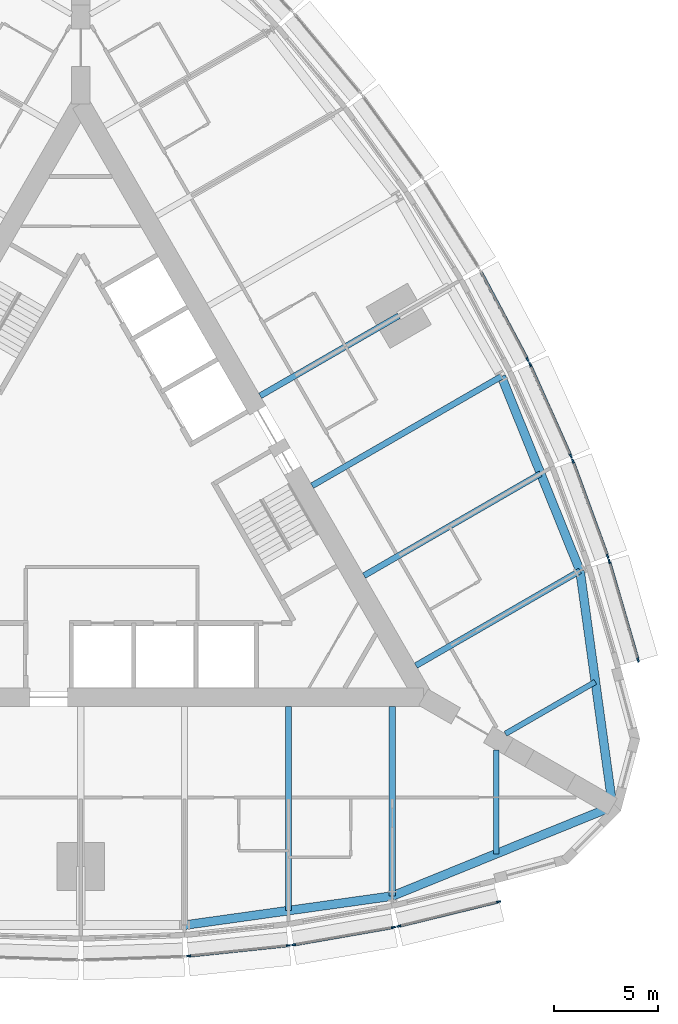
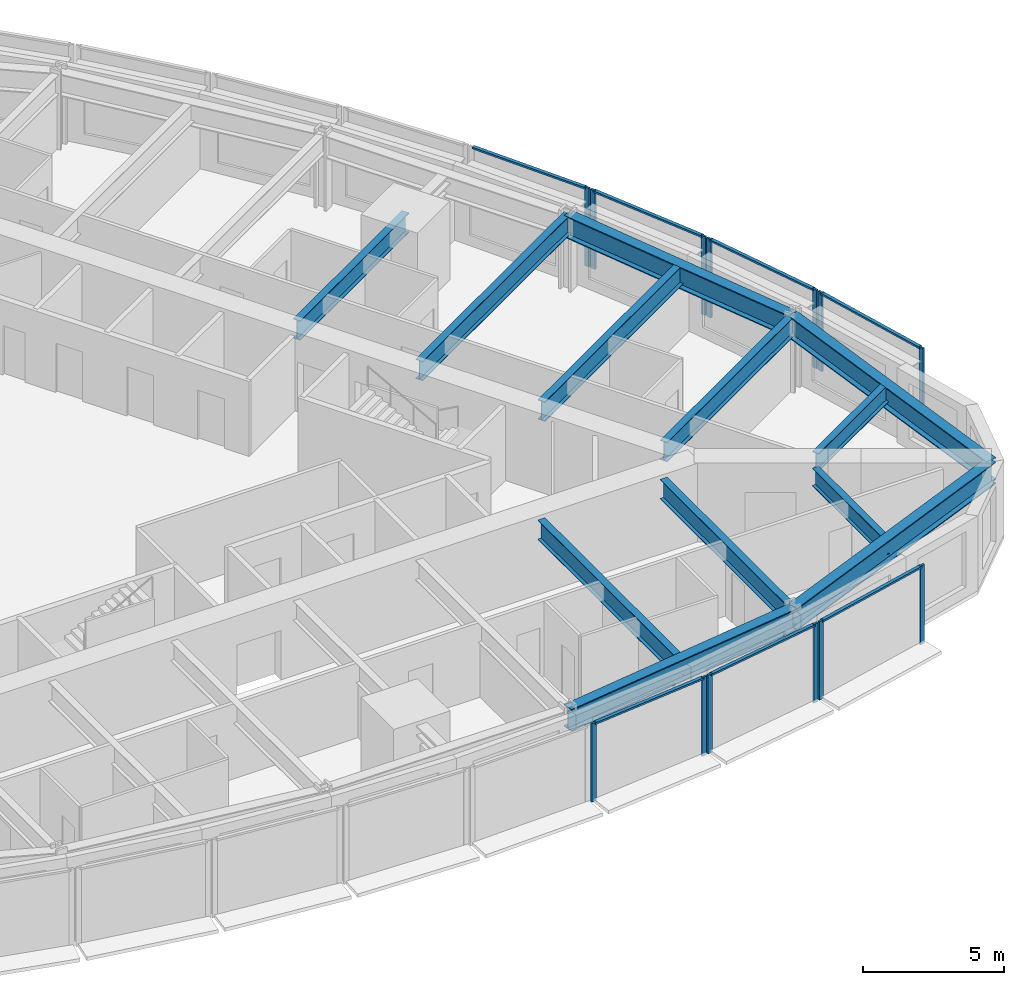
# One storey, part 3 of 14: 20 members, 12 beams, 7 elements without a shape of their own.
"""IFC4 building model written with IfcOpenShell, lengths in metres."""

from ifc_helpers import new_model, si_unit, direction, frame, origin, origin_2d, place, context, subcontext, project, spatial, rectangle, i_section, extrude, material, material_profile, profile_set, type_object, element, aggregate, save


model = new_model("IFC4")

# Units and contexts
model_context = context("Model", 3, precision=1e-05, world=origin(), true_north=direction((0.0, 1.0)))
body_context = subcontext(model_context, "Body", "Model", "MODEL_VIEW")
ifc_project = project(units=[si_unit("LENGTHUNIT", "METRE"), si_unit("AREAUNIT", "SQUARE_METRE"), si_unit("VOLUMEUNIT", "CUBIC_METRE"), si_unit("PLANEANGLEUNIT", "RADIAN"), si_unit("MASSUNIT", "GRAM", prefix="KILO")], contexts=[model_context])

# Site, building, storey
site_placement = place(None, origin())
site = spatial("IfcSite", under=ifc_project, at=site_placement, CompositionType="ELEMENT")
building_placement = place(site_placement, origin())
building = spatial("IfcBuilding", under=site, at=building_placement, Name="Trikona Tower", CompositionType="ELEMENT")
storey_placement = place(building_placement, frame((0.0, 0.0, 158.89990234375)))
storey = spatial("IfcBuildingStorey", under=building, at=storey_placement, Name="L42", CompositionType="ELEMENT", Elevation=158.89990234375)

# Curtain wall, members
ifc_material_1 = material(Name="Aluminium curtain wall system", Category="aluminium")
curtain_wall_type = type_object("IfcCurtainWallType", Name="Curtain wall DS2", PredefinedType="NOTDEFINED", material=ifc_material_1)
curtain_wall_1_placement = place(storey_placement, origin())
curtain_wall_1 = element("IfcCurtainWall", 1, at=curtain_wall_1_placement, inside=storey, type_object=curtain_wall_type, Name="Curtain wall DS2 L42", PredefinedType="NOTDEFINED")
ifc_material_2 = material(Name="Aluminium mullion, pale anodised", Category="aluminium")
ifc_material_profile_1 = material_profile(ifc_material_2, rectangle(XDim=0.080078125, YDim=0.199951171875, at=origin_2d()), Name="MUL-DS2")
ifc_profile_set_1 = profile_set([ifc_material_profile_1], Name="Aluminium mullion, pale anodised")
member_type_1 = type_object("IfcMemberType", Name="Mullion DS2 80x200", PredefinedType="MULLION", material=ifc_profile_set_1)
member_1_placement = place(storey_placement, frame((5.193359375, -21.98486328125, 0.0), z_axis=(0.0, 0.0, 1.0), x_axis=(-0.104433387357, 0.994531883654, 0.0)))
member_1 = element("IfcMember", 2, at=member_1_placement, type_object=member_type_1, Name="CW-DS2 mullion 1", PredefinedType="MULLION", context=body_context, shape_type="SweptSolid", body=[
    extrude(rectangle(XDim=0.080078125, YDim=0.199951171875, at=origin_2d()), origin(), (0.0, 0.0, 1.0), 3.400146484375),
])
member_2_placement = place(storey_placement, frame((9.99462890625, -21.480712890625, 0.0), z_axis=(0.0, 0.0, 1.0), x_axis=(-0.104433387357, 0.994531883654, 0.0)))
member_2 = element("IfcMember", 3, at=member_2_placement, type_object=member_type_1, Name="CW-DS2 mullion 2", PredefinedType="MULLION", context=body_context, shape_type="SweptSolid", body=[
    extrude(rectangle(XDim=0.080078125, YDim=0.199951171875, at=origin_2d()), origin(), (0.0, 0.0, 1.0), 3.400146484375),
])

curtain_wall_2_placement = place(storey_placement, origin())
curtain_wall_2 = element("IfcCurtainWall", 4, at=curtain_wall_2_placement, inside=storey, type_object=curtain_wall_type, Name="Curtain wall DS2 L42", PredefinedType="NOTDEFINED")
member_3_placement = place(storey_placement, frame((10.253662109375, -21.444580078125, 0.0), z_axis=(0.0, 0.0, 1.0), x_axis=(-0.17237739505, 0.985030981074, 0.0)))
member_3 = element("IfcMember", 5, at=member_3_placement, type_object=member_type_1, Name="CW-DS2 mullion 1", PredefinedType="MULLION", context=body_context, shape_type="SweptSolid", body=[
    extrude(rectangle(XDim=0.080078125, YDim=0.199951171875, at=origin_2d()), origin(), (0.0, 0.0, 1.0), 3.400146484375),
])
member_4_placement = place(storey_placement, frame((15.056640625, -20.60400390625, 0.0), z_axis=(0.0, 0.0, 1.0), x_axis=(-0.17237739505, 0.985030981074, 0.0)))
member_4 = element("IfcMember", 6, at=member_4_placement, type_object=member_type_1, Name="CW-DS2 mullion 2", PredefinedType="MULLION", context=body_context, shape_type="SweptSolid", body=[
    extrude(rectangle(XDim=0.080078125, YDim=0.199951171875, at=origin_2d()), origin(), (0.0, 0.0, 1.0), 3.400146484375),
])

curtain_wall_3_placement = place(storey_placement, origin())
curtain_wall_3 = element("IfcCurtainWall", 7, at=curtain_wall_3_placement, inside=storey, type_object=curtain_wall_type, Name="Curtain wall DS2 L42", PredefinedType="NOTDEFINED")
member_5_placement = place(storey_placement, frame((15.311279296875, -20.550537109375, 0.0), z_axis=(0.0, 0.0, 1.0), x_axis=(-0.237970204243, 0.971272455026, 0.0)))
member_5 = element("IfcMember", 8, at=member_5_placement, type_object=member_type_1, Name="CW-DS2 mullion 1", PredefinedType="MULLION", context=body_context, shape_type="SweptSolid", body=[
    extrude(rectangle(XDim=0.080078125, YDim=0.199951171875, at=origin_2d()), origin(), (0.0, 0.0, 1.0), 3.400146484375),
])
member_6_placement = place(storey_placement, frame((20.116943359375, -19.373046875, 0.0), z_axis=(0.0, 0.0, 1.0), x_axis=(-0.237970204243, 0.971272455026, 0.0)))
member_6 = element("IfcMember", 9, at=member_6_placement, type_object=member_type_1, Name="CW-DS2 mullion 2", PredefinedType="MULLION", context=body_context, shape_type="SweptSolid", body=[
    extrude(rectangle(XDim=0.080078125, YDim=0.199951171875, at=origin_2d()), origin(), (0.0, 0.0, 1.0), 3.400146484375),
])

curtain_wall_4_placement = place(storey_placement, origin())
curtain_wall_4 = element("IfcCurtainWall", 10, at=curtain_wall_4_placement, inside=storey, type_object=curtain_wall_type, Name="Curtain wall DS2 L42", PredefinedType="NOTDEFINED")
member_7_placement = place(storey_placement, frame((26.836181640625, -7.7353515625, 0.0), z_axis=(0.0, 0.0, 1.0), x_axis=(-0.96013310152, -0.279543247757, 0.0)))
member_7 = element("IfcMember", 11, at=member_7_placement, type_object=member_type_1, Name="CW-DS2 mullion 1", PredefinedType="MULLION", context=body_context, shape_type="SweptSolid", body=[
    extrude(rectangle(XDim=0.080078125, YDim=0.199951171875, at=origin_2d()), origin(), (0.0, 0.0, 1.0), 3.400146484375),
])
member_8_placement = place(storey_placement, frame((25.452880859375, -2.984619140625, 0.0), z_axis=(0.0, 0.0, 1.0), x_axis=(-0.96013310152, -0.279543247757, 0.0)))
member_8 = element("IfcMember", 12, at=member_8_placement, type_object=member_type_1, Name="CW-DS2 mullion 2", PredefinedType="MULLION", context=body_context, shape_type="SweptSolid", body=[
    extrude(rectangle(XDim=0.080078125, YDim=0.199951171875, at=origin_2d()), origin(), (0.0, 0.0, 1.0), 3.400146484375),
])

curtain_wall_5_placement = place(storey_placement, origin())
curtain_wall_5 = element("IfcCurtainWall", 13, at=curtain_wall_5_placement, inside=storey, type_object=curtain_wall_type, Name="Curtain wall DS2 L42", PredefinedType="NOTDEFINED")
member_9_placement = place(storey_placement, frame((25.371826171875, -2.737548828125, 0.0), z_axis=(0.0, 0.0, 1.0), x_axis=(-0.939253790978, -0.343223420143, 0.0)))
member_9 = element("IfcMember", 14, at=member_9_placement, type_object=member_type_1, Name="CW-DS2 mullion 1", PredefinedType="MULLION", context=body_context, shape_type="SweptSolid", body=[
    extrude(rectangle(XDim=0.080078125, YDim=0.199951171875, at=origin_2d()), origin(), (0.0, 0.0, 1.0), 3.400146484375),
])
member_10_placement = place(storey_placement, frame((23.6982421875, 1.84228515625, 0.0), z_axis=(0.0, 0.0, 1.0), x_axis=(-0.939253790978, -0.343223420143, 0.0)))
member_10 = element("IfcMember", 15, at=member_10_placement, type_object=member_type_1, Name="CW-DS2 mullion 2", PredefinedType="MULLION", context=body_context, shape_type="SweptSolid", body=[
    extrude(rectangle(XDim=0.080078125, YDim=0.199951171875, at=origin_2d()), origin(), (0.0, 0.0, 1.0), 3.400146484375),
])

curtain_wall_6_placement = place(storey_placement, origin())
curtain_wall_6 = element("IfcCurtainWall", 16, at=curtain_wall_6_placement, inside=storey, type_object=curtain_wall_type, Name="Curtain wall DS2 L42", PredefinedType="NOTDEFINED")
member_11_placement = place(storey_placement, frame((23.60009765625, 2.0849609375, 0.0), z_axis=(0.0, 0.0, 1.0), x_axis=(-0.913501208767, -0.406836013132, 0.0)))
member_11 = element("IfcMember", 17, at=member_11_placement, type_object=member_type_1, Name="CW-DS2 mullion 1", PredefinedType="MULLION", context=body_context, shape_type="SweptSolid", body=[
    extrude(rectangle(XDim=0.080078125, YDim=0.199951171875, at=origin_2d()), origin(), (0.0, 0.0, 1.0), 3.400146484375),
])
member_12_placement = place(storey_placement, frame((21.63623046875, 6.494873046875, 0.0), z_axis=(0.0, 0.0, 1.0), x_axis=(-0.913501208767, -0.406836013132, 0.0)))
member_12 = element("IfcMember", 18, at=member_12_placement, type_object=member_type_1, Name="CW-DS2 mullion 2", PredefinedType="MULLION", context=body_context, shape_type="SweptSolid", body=[
    extrude(rectangle(XDim=0.080078125, YDim=0.199951171875, at=origin_2d()), origin(), (0.0, 0.0, 1.0), 3.400146484375),
])

# Curtain wall, member
curtain_wall_7_placement = place(storey_placement, origin())
curtain_wall_7 = element("IfcCurtainWall", 19, at=curtain_wall_7_placement, inside=storey, type_object=curtain_wall_type, Name="Curtain wall DS2 L42", PredefinedType="NOTDEFINED")
member_13_placement = place(storey_placement, frame((21.52099609375, 6.730712890625, 0.0), z_axis=(0.0, 0.0, 1.0), x_axis=(-0.882996107343, -0.469380308937, 0.0)))
member_13 = element("IfcMember", 20, at=member_13_placement, type_object=member_type_1, Name="CW-DS2 mullion 1", PredefinedType="MULLION", context=body_context, shape_type="SweptSolid", body=[
    extrude(rectangle(XDim=0.080078125, YDim=0.199951171875, at=origin_2d()), origin(), (0.0, 0.0, 1.0), 3.400146484375),
])

# Beams
ifc_material_3 = material(Name="Steel ASTM A992 Grade 50", Category="steel")
ifc_material_profile_2 = material_profile(ifc_material_3, i_section(OverallWidth=0.2666015625, OverallDepth=0.76953125, WebThickness=0.015625, FlangeThickness=0.025390625, at=origin_2d()), Name="W30X132")
ifc_profile_set_2 = profile_set([ifc_material_profile_2], Name="Steel ASTM A992 Grade 50")
beam_type_1 = type_object("IfcBeamType", Name="Steel beam W30x132 (wedge)", PredefinedType="BEAM", material=ifc_profile_set_2)
beam_1_placement = place(storey_placement, frame((20.0, -12.066650390625, 2.850341796875), z_axis=(0.0, -1.0, 0.0), x_axis=(1.0, 0.0, 0.0)))
element("IfcBeam", 21, at=beam_1_placement, inside=storey, type_object=beam_type_1, Name="Floor beam L43 F1 u20", PredefinedType="BEAM", context=body_context, shape_type="SweptSolid", body=[
    extrude(i_section(OverallWidth=0.2666015625, OverallDepth=0.76953125, WebThickness=0.015625, FlangeThickness=0.025390625, at=origin_2d()), origin(), (0.0, 0.0, 1.0), 5.00048828125),
])
beam_2_placement = place(storey_placement, frame((20.449951171875, -11.287109375, 2.850341796875), z_axis=(0.866038434829, 0.49997742889, 0.0), x_axis=(-0.49997742889, 0.866038434829, 0.0)))
element("IfcBeam", 22, at=beam_2_placement, inside=storey, type_object=beam_type_1, Name="Floor beam L43 F2 u-20", PredefinedType="BEAM", context=body_context, shape_type="SweptSolid", body=[
    extrude(i_section(OverallWidth=0.2666015625, OverallDepth=0.76953125, WebThickness=0.015625, FlangeThickness=0.025390625, at=origin_2d()), origin(), (0.0, 0.0, 1.0), 5.000732421875),
])
ifc_material_4 = material(Name="Steel ASTM A992 Grade 50", Category="steel")
ifc_material_profile_3 = material_profile(ifc_material_4, i_section(OverallWidth=0.2919921875, OverallDepth=0.845703125, WebThickness=0.015380859375, FlangeThickness=0.0244140625, at=origin_2d()), Name="W33X141")
ifc_profile_set_3 = profile_set([ifc_material_profile_3], Name="Steel ASTM A992 Grade 50")
beam_type_2 = type_object("IfcBeamType", Name="Steel beam W33x141 (radial typ)", PredefinedType="BEAM", material=ifc_profile_set_3)
beam_3_placement = place(storey_placement, frame((10.0, -9.976318359375, 2.812255859375), z_axis=(0.0, -1.0, 0.0), x_axis=(1.0, 0.0, 0.0)))
element("IfcBeam", 23, at=beam_3_placement, inside=storey, type_object=beam_type_2, Name="Floor beam L43 F1 u10", PredefinedType="BEAM", context=body_context, shape_type="SweptSolid", body=[
    extrude(i_section(OverallWidth=0.2919921875, OverallDepth=0.845703125, WebThickness=0.015380859375, FlangeThickness=0.0244140625, at=origin_2d()), origin(), (0.0, 0.0, 1.0), 9.823974609375),
])
beam_4_placement = place(storey_placement, frame((15.0, -9.976318359375, 2.812255859375), z_axis=(0.0, -1.0, 0.0), x_axis=(1.0, 0.0, 0.0)))
element("IfcBeam", 24, at=beam_4_placement, inside=storey, type_object=beam_type_2, Name="Floor beam L43 F1 u15", PredefinedType="BEAM", context=body_context, shape_type="SweptSolid", body=[
    extrude(i_section(OverallWidth=0.2919921875, OverallDepth=0.845703125, WebThickness=0.015380859375, FlangeThickness=0.0244140625, at=origin_2d()), origin(), (0.0, 0.0, 1.0), 9.123779296875),
])
beam_5_placement = place(storey_placement, frame((16.1396484375, -8.002197265625, 2.812255859375), z_axis=(0.866024725532, 0.500001174766, 0.0), x_axis=(-0.500001174766, 0.866024725532, 0.0)))
element("IfcBeam", 25, at=beam_5_placement, inside=storey, type_object=beam_type_2, Name="Floor beam L43 F2 u-15", PredefinedType="BEAM", context=body_context, shape_type="SweptSolid", body=[
    extrude(i_section(OverallWidth=0.2919921875, OverallDepth=0.845703125, WebThickness=0.015380859375, FlangeThickness=0.0244140625, at=origin_2d()), origin(), (0.0, 0.0, 1.0), 9.1240234375),
])
beam_6_placement = place(storey_placement, frame((13.6396484375, -3.672119140625, 2.812255859375), z_axis=(0.866020046725, 0.500009278584, 0.0), x_axis=(-0.500009278584, 0.866020046725, 0.0)))
element("IfcBeam", 26, at=beam_6_placement, inside=storey, type_object=beam_type_2, Name="Floor beam L43 F2 u-10", PredefinedType="BEAM", context=body_context, shape_type="SweptSolid", body=[
    extrude(i_section(OverallWidth=0.2919921875, OverallDepth=0.845703125, WebThickness=0.015380859375, FlangeThickness=0.0244140625, at=origin_2d()), origin(), (0.0, 0.0, 1.0), 9.823974609375),
])
beam_7_placement = place(storey_placement, frame((11.1396484375, 0.657958984375, 2.812255859375), z_axis=(0.866026035623, 0.499998905622, 0.0), x_axis=(-0.499998905622, 0.866026035623, 0.0)))
element("IfcBeam", 27, at=beam_7_placement, inside=storey, type_object=beam_type_2, Name="Floor beam L43 F2 u-5", PredefinedType="BEAM", context=body_context, shape_type="SweptSolid", body=[
    extrude(i_section(OverallWidth=0.2919921875, OverallDepth=0.845703125, WebThickness=0.015380859375, FlangeThickness=0.0244140625, at=origin_2d()), origin(), (0.0, 0.0, 1.0), 10.52392578125),
])
beam_8_placement = place(storey_placement, frame((8.6396484375, 4.988037109375, 2.812255859375), z_axis=(0.866017246294, 0.500014128921, 0.0), x_axis=(-0.500014128921, 0.866017246294, 0.0)))
element("IfcBeam", 28, at=beam_8_placement, inside=storey, type_object=beam_type_2, Name="Floor beam L43 F2 u0", PredefinedType="BEAM", context=body_context, shape_type="SweptSolid", body=[
    extrude(i_section(OverallWidth=0.2919921875, OverallDepth=0.845703125, WebThickness=0.015380859375, FlangeThickness=0.0244140625, at=origin_2d()), origin(), (0.0, 0.0, 1.0), 7.704345703125),
])
ifc_material_5 = material(Name="Steel ASTM A992 Grade 50", Category="steel")
ifc_material_profile_4 = material_profile(ifc_material_5, i_section(OverallWidth=0.424072265625, OverallDepth=0.947509765625, WebThickness=0.02392578125, FlangeThickness=0.042724609375, at=origin_2d()), Name="W36X302")
ifc_profile_set_4 = profile_set([ifc_material_profile_4], Name="Steel ASTM A992 Grade 50")
beam_type_3 = type_object("IfcBeamType", Name="Steel beam W36x302 (spandrel)", PredefinedType="SPANDREL", material=ifc_profile_set_4)
beam_9_placement = place(storey_placement, frame((5.0, -20.500244140625, 2.761474609375), z_axis=(0.990339754644, 0.13866207258, 0.0), x_axis=(-0.13866207258, 0.990339754644, 0.0)))
element("IfcBeam", 29, at=beam_9_placement, inside=storey, type_object=beam_type_3, Name="Spandrel beam L43 F1-4", PredefinedType="SPANDREL", context=body_context, shape_type="SweptSolid", body=[
    extrude(i_section(OverallWidth=0.424072265625, OverallDepth=0.947509765625, WebThickness=0.02392578125, FlangeThickness=0.042724609375, at=origin_2d()), origin(), (0.0, 0.0, 1.0), 10.09765625),
])
for number, where, z_axis, x_axis, name in (
    (30, (15.0, -19.10009765625, 2.761474609375), (0.926359695662, 0.376640032728, 0.0), (-0.376640032728, 0.926359695662, 0.0), "Spandrel beam L43 F1-5"),
    (31, (25.6103515625, -14.7861328125, 2.761474609375), (-0.136991535842, 0.990572218017, 0.0), (-0.990572218017, -0.136991535842, 0.0), "Spandrel beam L43 F2-1"),
):
    element("IfcBeam", number, at=place(storey_placement, frame(where, z_axis=z_axis, x_axis=x_axis)), inside=storey, type_object=beam_type_3, Name=name, PredefinedType="SPANDREL", context=body_context, shape_type="SweptSolid", body=[
        extrude(i_section(OverallWidth=0.424072265625, OverallDepth=0.947509765625, WebThickness=0.02392578125, FlangeThickness=0.042724609375, at=origin_2d()), origin(), (0.0, 0.0, 1.0), 11.453857421875),
    ])
beam_10_placement = place(storey_placement, frame((24.041259765625, -3.440185546875, 2.761474609375), z_axis=(-0.375106193787, 0.926981846307, 0.0), x_axis=(-0.926981846307, -0.375106193787, 0.0)))
element("IfcBeam", 32, at=beam_10_placement, inside=storey, type_object=beam_type_3, Name="Spandrel beam L43 F2-2", PredefinedType="SPANDREL", context=body_context, shape_type="SweptSolid", body=[
    extrude(i_section(OverallWidth=0.424072265625, OverallDepth=0.947509765625, WebThickness=0.02392578125, FlangeThickness=0.042724609375, at=origin_2d()), origin(), (0.0, 0.0, 1.0), 10.097412109375),
])

# Member
ifc_material_6 = material(Name="Aluminium transom, pale anodised", Category="aluminium")
ifc_material_profile_5 = material_profile(ifc_material_6, rectangle(XDim=0.139892578125, YDim=0.080078125, at=origin_2d()), Name="TRN-DS2")
ifc_profile_set_5 = profile_set([ifc_material_profile_5], Name="Aluminium transom, pale anodised")
member_type_2 = type_object("IfcMemberType", Name="Transom DS2 80x140", PredefinedType="USERDEFINED", material=ifc_profile_set_5)
member_14_placement = place(storey_placement, frame((5.233154296875, -21.980712890625, 3.360107421875), z_axis=(0.99453106441, 0.104441188822, 0.0), x_axis=(-0.104441188822, 0.99453106441, 0.0)))
member_14 = element("IfcMember", 33, at=member_14_placement, type_object=member_type_2, Name="CW-DS2 transom 1.1", ObjectType="TRANSOM", PredefinedType="USERDEFINED", context=body_context, shape_type="SweptSolid", body=[
    extrude(rectangle(XDim=0.139892578125, YDim=0.080078125, at=origin_2d()), origin(), (0.0, 0.0, 1.0), 4.74755859375),
])

aggregate(curtain_wall_1, [member_1, member_2, member_14])

member_15_placement = place(storey_placement, frame((10.29296875, -21.4375, 3.360107421875), z_axis=(0.98503262804, 0.172367983387, 0.0), x_axis=(-0.172367983387, 0.98503262804, 0.0)))
member_15 = element("IfcMember", 34, at=member_15_placement, type_object=member_type_2, Name="CW-DS2 transom 1.1", ObjectType="TRANSOM", PredefinedType="USERDEFINED", context=body_context, shape_type="SweptSolid", body=[
    extrude(rectangle(XDim=0.139892578125, YDim=0.080078125, at=origin_2d()), origin(), (0.0, 0.0, 1.0), 4.7958984375),
])

aggregate(curtain_wall_2, [member_3, member_4, member_15])

member_16_placement = place(storey_placement, frame((15.35009765625, -20.541015625, 3.360107421875), z_axis=(0.971270583303, 0.237977843528, 0.0), x_axis=(-0.237977843528, 0.971270583303, 0.0)))
member_16 = element("IfcMember", 35, at=member_16_placement, type_object=member_type_2, Name="CW-DS2 transom 1.1", ObjectType="TRANSOM", PredefinedType="USERDEFINED", context=body_context, shape_type="SweptSolid", body=[
    extrude(rectangle(XDim=0.139892578125, YDim=0.080078125, at=origin_2d()), origin(), (0.0, 0.0, 1.0), 4.867919921875),
])

aggregate(curtain_wall_3, [member_5, member_6, member_16])

member_17_placement = place(storey_placement, frame((26.824951171875, -7.69677734375, 3.360107421875), z_axis=(-0.279566628153, 0.960126293996, 0.0), x_axis=(-0.960126293996, -0.279566628153, 0.0)))
member_17 = element("IfcMember", 36, at=member_17_placement, type_object=member_type_2, Name="CW-DS2 transom 1.1", ObjectType="TRANSOM", PredefinedType="USERDEFINED", context=body_context, shape_type="SweptSolid", body=[
    extrude(rectangle(XDim=0.139892578125, YDim=0.080078125, at=origin_2d()), origin(), (0.0, 0.0, 1.0), 4.86767578125),
])

aggregate(curtain_wall_4, [member_7, member_8, member_17])

member_18_placement = place(storey_placement, frame((25.358154296875, -2.699951171875, 3.360107421875), z_axis=(-0.343205907674, 0.939260190223, 0.0), x_axis=(-0.939260190223, -0.343205907674, 0.0)))
member_18 = element("IfcMember", 37, at=member_18_placement, type_object=member_type_2, Name="CW-DS2 transom 1.1", ObjectType="TRANSOM", PredefinedType="USERDEFINED", context=body_context, shape_type="SweptSolid", body=[
    extrude(rectangle(XDim=0.139892578125, YDim=0.080078125, at=origin_2d()), origin(), (0.0, 0.0, 1.0), 4.7958984375),
])

aggregate(curtain_wall_5, [member_9, member_10, member_18])

member_19_placement = place(storey_placement, frame((23.583740234375, 2.12158203125, 3.360107421875), z_axis=(-0.406839769607, 0.913499535778, 0.0), x_axis=(-0.913499535778, -0.406839769607, 0.0)))
member_19 = element("IfcMember", 38, at=member_19_placement, type_object=member_type_2, Name="CW-DS2 transom 1.1", ObjectType="TRANSOM", PredefinedType="USERDEFINED", context=body_context, shape_type="SweptSolid", body=[
    extrude(rectangle(XDim=0.139892578125, YDim=0.080078125, at=origin_2d()), origin(), (0.0, 0.0, 1.0), 4.747314453125),
])

aggregate(curtain_wall_6, [member_11, member_12, member_19])

member_20_placement = place(storey_placement, frame((21.502197265625, 6.76611328125, 3.360107421875), z_axis=(-0.469364343408, 0.883004594063, 0.0), x_axis=(-0.883004594063, -0.469364343408, 0.0)))
member_20 = element("IfcMember", 39, at=member_20_placement, type_object=member_type_2, Name="CW-DS2 transom 1.1", ObjectType="TRANSOM", PredefinedType="USERDEFINED", context=body_context, shape_type="SweptSolid", body=[
    extrude(rectangle(XDim=0.139892578125, YDim=0.080078125, at=origin_2d()), origin(), (0.0, 0.0, 1.0), 4.722900390625),
])

aggregate(curtain_wall_7, [member_13, member_20])

save(model, "model.ifc")
